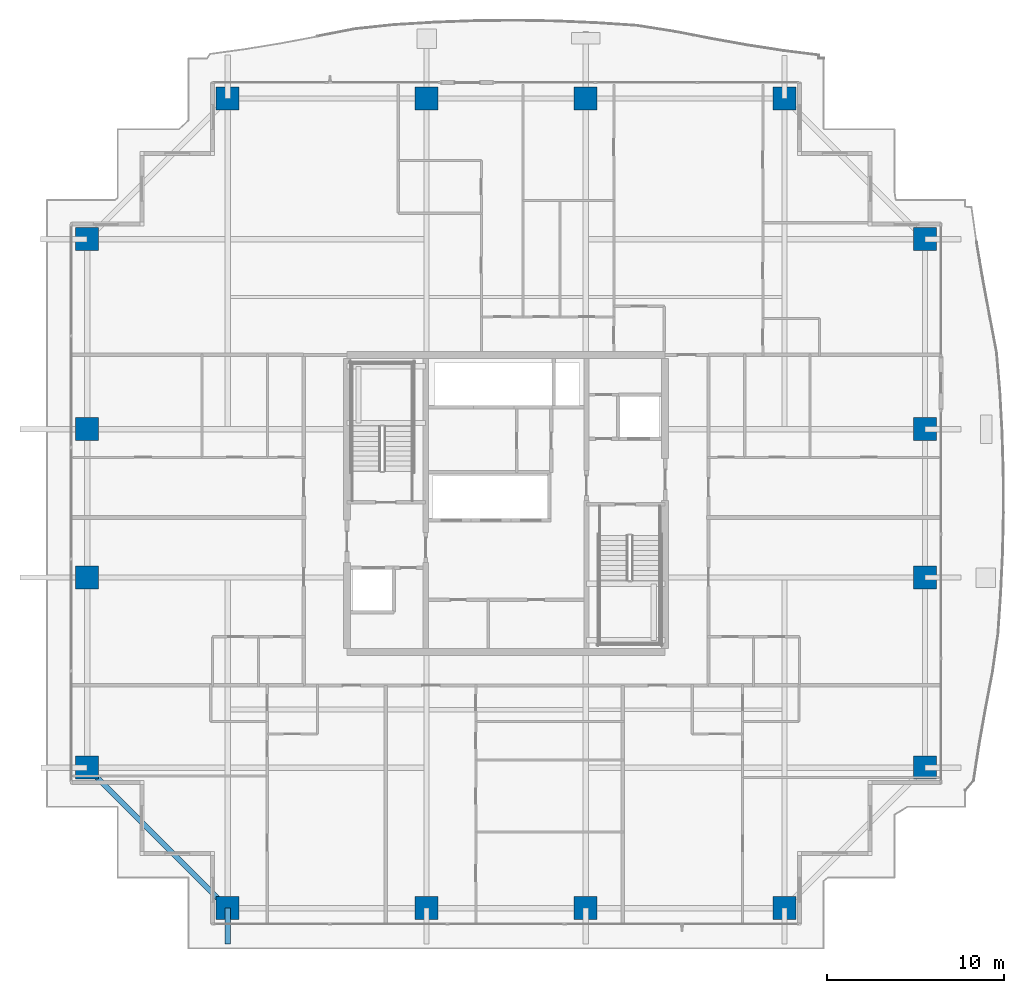
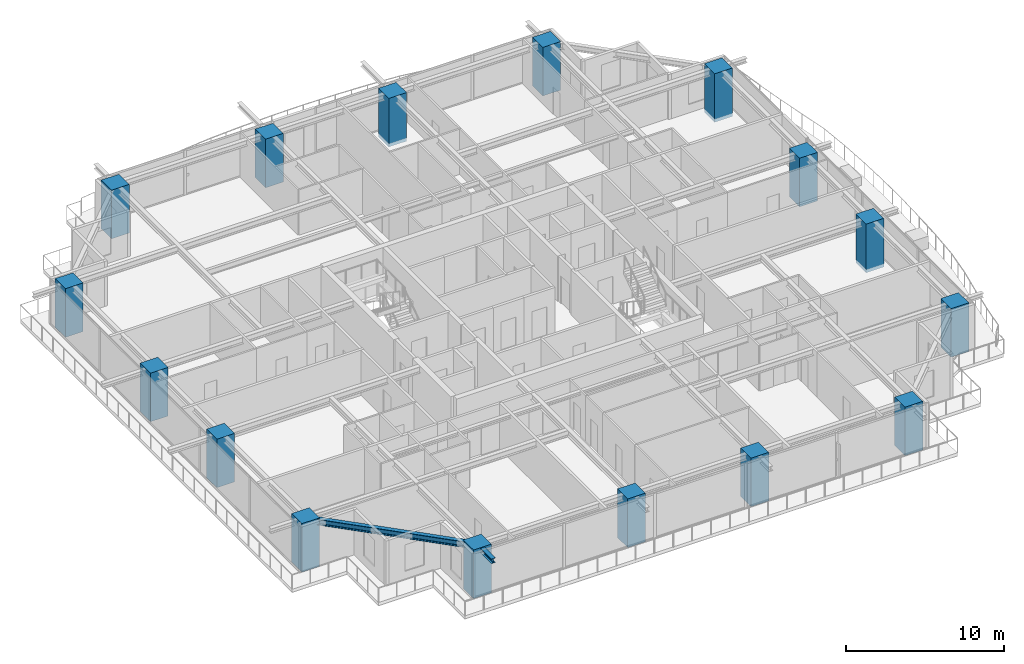
# One storey, part 1 of 34: 16 columns, 2 beams.
"""IFC4 building model written with IfcOpenShell, lengths in metres."""

from ifc_helpers import new_model, si_unit, direction, frame, origin, origin_2d, place, context, subcontext, project, spatial, rectangle, i_section, extrude, source, transform, mapped, material, material_profile, profile_set, type_object, element, save


model = new_model("IFC4")

# Units and contexts
model_context = context("Model", 3, precision=1e-05, world=origin(), true_north=direction((0.0, 1.0)))
body_context = subcontext(model_context, "Body", "Model", "MODEL_VIEW")
ifc_project = project(units=[si_unit("LENGTHUNIT", "METRE"), si_unit("AREAUNIT", "SQUARE_METRE"), si_unit("VOLUMEUNIT", "CUBIC_METRE"), si_unit("PLANEANGLEUNIT", "RADIAN"), si_unit("MASSUNIT", "GRAM", prefix="KILO")], contexts=[model_context])

# Site, building, storey
site_placement = place(None, origin())
site = spatial("IfcSite", under=ifc_project, at=site_placement, CompositionType="ELEMENT")
building_placement = place(site_placement, origin())
building = spatial("IfcBuilding", under=site, at=building_placement, Name="Serunith Strait Residences", CompositionType="ELEMENT")
storey_placement = place(building_placement, frame((0.0, 0.0, 180.14990234375)))
storey = spatial("IfcBuildingStorey", under=building, at=storey_placement, Name="L45", CompositionType="ELEMENT", Elevation=180.14990234375)

# Columns
ifc_material_1 = material(Name="Concrete C80/95", Category="concrete")
ifc_material_profile_1 = material_profile(ifc_material_1, rectangle(XDim=1.300048828125, YDim=1.300048828125, at=origin_2d()), Name="RC 1300x1300")
ifc_profile_set_1 = profile_set([ifc_material_profile_1], Name="Concrete C80/95")
column_type = type_object("IfcColumnType", Name="COL-RC-1300", PredefinedType="COLUMN", material=ifc_profile_set_1)
shared_shape_1 = source(origin(), body_context, "Body", "SweptSolid", [
    extrude(rectangle(XDim=1.300048828125, YDim=1.300048828125, at=origin_2d()), origin(), (0.0, 0.0, 1.0), 3.75),
])
for number, where, z_axis, x_axis, name in (
    (1, (16.64990234375, 2.300048828125, -0.260009765625), (0.0, 0.0, 1.0), (1.0, 0.0, 0.0), "L45 Tower Mega-Column TC-S1"),
    (2, (27.89990234375, 2.300048828125, -0.260009765625), (0.0, 0.0, 1.0), (1.0, 0.0, 0.0), "L45 Tower Mega-Column TC-S2"),
    (3, (36.89990234375, 2.300048828125, -0.260009765625), (0.0, 0.0, 1.0), (1.0, 0.0, 0.0), "L45 Tower Mega-Column TC-S3"),
    (4, (48.14990234375, 2.300048828125, -0.260009765625), (0.0, 0.0, 1.0), (1.0, 0.0, 0.0), "L45 Tower Mega-Column TC-S4"),
    (5, (16.64990234375, 48.10009765625, -0.260009765625), (0.0, 0.0, 1.0), (1.0, 0.0, 0.0), "L45 Tower Mega-Column TC-N1"),
    (6, (27.89990234375, 48.10009765625, -0.260009765625), (0.0, 0.0, 1.0), (1.0, 0.0, 0.0), "L45 Tower Mega-Column TC-N2"),
    (7, (36.89990234375, 48.10009765625, -0.260009765625), (0.0, 0.0, 1.0), (1.0, 0.0, 0.0), "L45 Tower Mega-Column TC-N3"),
    (8, (48.14990234375, 48.10009765625, -0.260009765625), (0.0, 0.0, 1.0), (1.0, 0.0, 0.0), "L45 Tower Mega-Column TC-N4"),
    (9, (56.10009765625, 10.25, -0.260009765625), (0.0, 0.0, 1.0), (1.0, 0.0, 0.0), "L45 Tower Mega-Column TC-E1"),
    (10, (56.10009765625, 21.0, -0.260009765625), (0.0, 0.0, 1.0), (1.0, 0.0, 0.0), "L45 Tower Mega-Column TC-E2"),
    (11, (56.10009765625, 29.39990234375, -0.260009765625), (0.0, 0.0, 1.0), (1.0, 0.0, 0.0), "L45 Tower Mega-Column TC-E3"),
    (12, (56.10009765625, 40.14990234375, -0.260009765625), (0.0, 0.0, 1.0), (1.0, 0.0, 0.0), "L45 Tower Mega-Column TC-E4"),
    (13, (8.699951171875, 10.25, -0.260009765625), (0.0, 0.0, 1.0), (1.0, 0.0, 0.0), "L45 Tower Mega-Column TC-W1"),
    (14, (8.699951171875, 21.0, -0.260009765625), (0.0, 0.0, 1.0), (1.0, 0.0, 0.0), "L45 Tower Mega-Column TC-W2"),
    (15, (8.699951171875, 29.39990234375, -0.260009765625), (0.0, 0.0, 1.0), (1.0, 0.0, 0.0), "L45 Tower Mega-Column TC-W3"),
    (16, (8.699951171875, 40.14990234375, -0.260009765625), (0.0, 0.0, 1.0), (1.0, 0.0, 0.0), "L45 Tower Mega-Column TC-W4"),
):
    element("IfcColumn", number, at=place(storey_placement, frame(where, z_axis=z_axis, x_axis=x_axis)), inside=storey, type_object=column_type, Name=name, PredefinedType="COLUMN", context=body_context, shape_type="MappedRepresentation", body=[
        mapped(shared_shape_1, transform((0.0, 0.0, 0.0), scale=1.0)),
    ])

# Beams
ifc_material_2 = material(Name="Steel S355J2", Category="steel")
ifc_material_profile_2 = material_profile(ifc_material_2, i_section(OverallWidth=0.300048828125, OverallDepth=0.449951171875, WebThickness=0.013916015625, FlangeThickness=0.02587890625, FilletRadius=0.027099609375, at=origin_2d()), Name="HEB 450")
ifc_profile_set_2 = profile_set([ifc_material_profile_2], Name="Steel S355J2")
beam_type_1 = type_object("IfcBeamType", Name="BM-HEB450", PredefinedType="BEAM", material=ifc_profile_set_2)
shared_shape_2 = source(origin(), body_context, "Body", "SweptSolid", [
    extrude(i_section(OverallWidth=0.300048828125, OverallDepth=0.449951171875, WebThickness=0.013916015625, FlangeThickness=0.02587890625, FilletRadius=0.027099609375, at=origin_2d()), origin(), (0.0, 0.0, 1.0), 11.242919921875),
])
beam_1_placement = place(storey_placement, frame((8.699951171875, 10.25, 3.232177734375), z_axis=(0.707106781187, -0.707106781187, 0.0), x_axis=(0.707106781187, 0.707106781187, 0.0)))
element("IfcBeam", 17, at=beam_1_placement, inside=storey, type_object=beam_type_1, Name="L45 Perimeter Ring Beam 16", PredefinedType="BEAM", context=body_context, shape_type="MappedRepresentation", body=[
    mapped(shared_shape_2, transform((0.0, 0.0, 0.0), scale=1.0)),
])
ifc_material_profile_3 = material_profile(ifc_material_2, i_section(OverallWidth=0.300048828125, OverallDepth=0.360107421875, WebThickness=0.012451171875, FlangeThickness=0.0224609375, FilletRadius=0.027099609375, at=origin_2d()), Name="HEB 360")
ifc_profile_set_3 = profile_set([ifc_material_profile_3], Name="Steel S355J2")
beam_type_2 = type_object("IfcBeamType", Name="BM-HEB360", PredefinedType="BEAM", material=ifc_profile_set_3)
shared_shape_3 = source(origin(), body_context, "Body", "SweptSolid", [
    extrude(i_section(OverallWidth=0.300048828125, OverallDepth=0.360107421875, WebThickness=0.012451171875, FlangeThickness=0.0224609375, FilletRadius=0.027099609375, at=origin_2d()), origin(), (0.0, 0.0, 1.0), 2.030029296875),
])
beam_2_placement = place(storey_placement, frame((16.64990234375, 2.300048828125, 3.277099609375), z_axis=(0.0, -1.0, 0.0), x_axis=(1.0, 0.0, 0.0)))
element("IfcBeam", 18, at=beam_2_placement, inside=storey, type_object=beam_type_2, Name="L46 Cantilevered Balcony Rib TC-S1", PredefinedType="BEAM", context=body_context, shape_type="MappedRepresentation", body=[
    mapped(shared_shape_3, transform((0.0, 0.0, 0.0), scale=1.0)),
])

save(model, "model.ifc")
